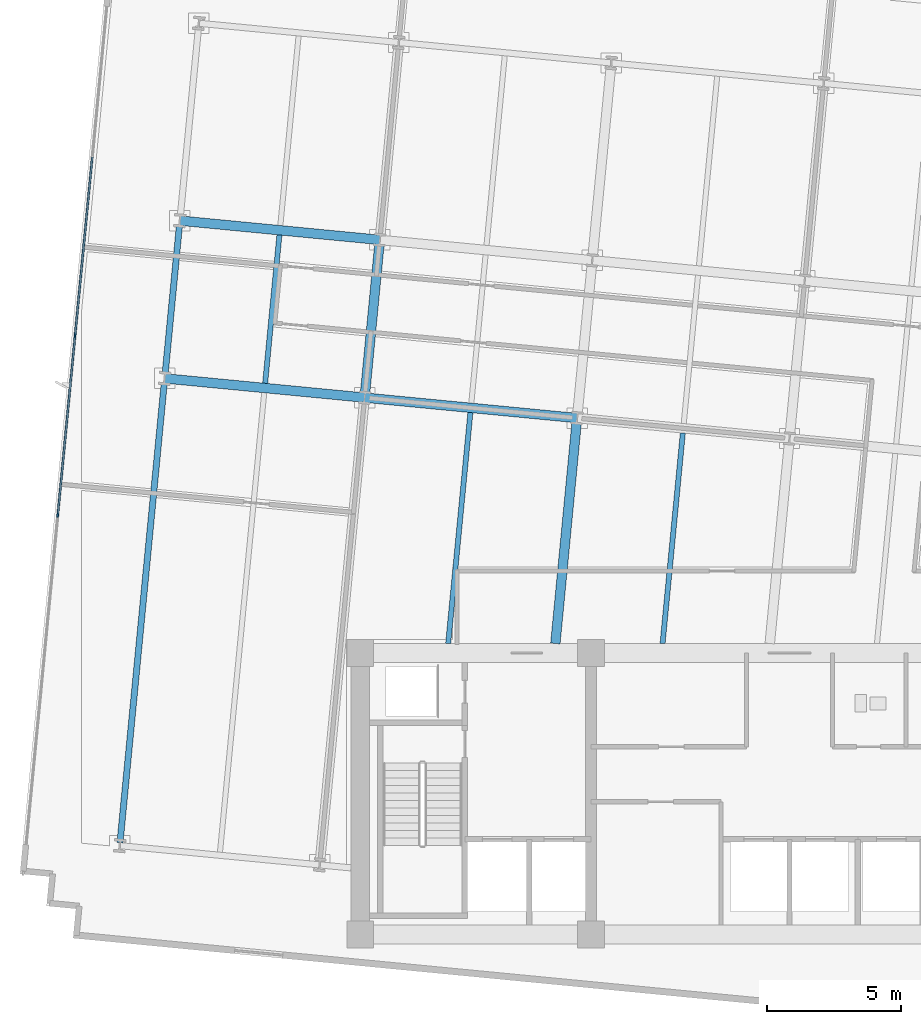
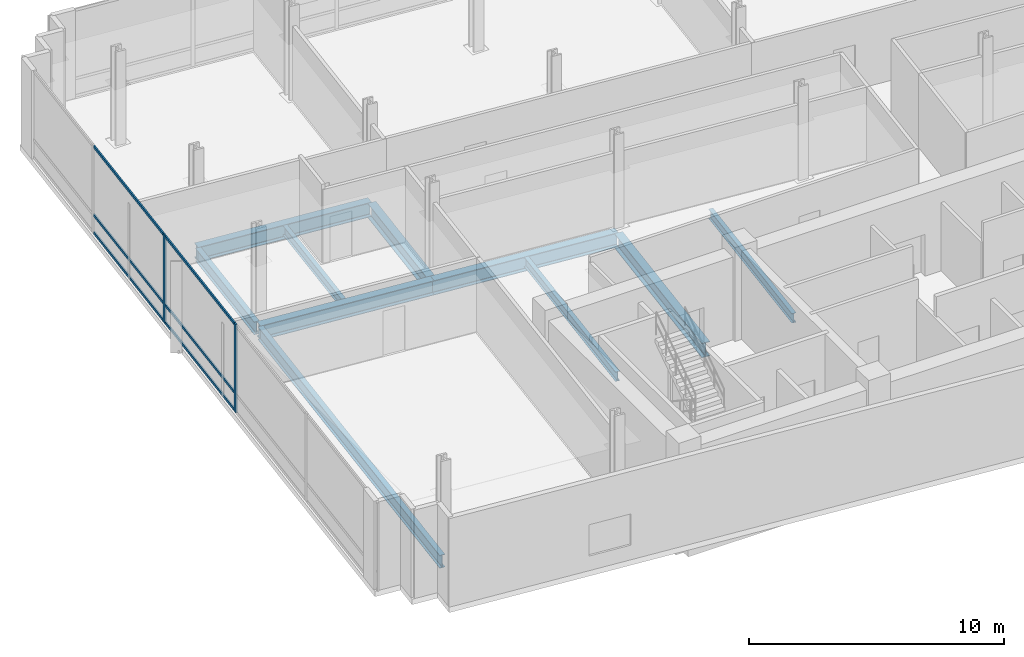
# One storey, part 4 of 17: 10 beams, 8 members, 1 element without a shape of its own.
"""IFC4 building model written with IfcOpenShell, lengths in metres."""

from ifc_helpers import new_model, si_unit, direction, frame, origin, origin_2d, place, context, subcontext, project, spatial, rectangle, i_section, extrude, material, material_profile, profile_set, type_object, element, aggregate, save


model = new_model("IFC4")

# Units and contexts
model_context = context("Model", 3, precision=1e-05, world=origin(), true_north=direction((0.0, 1.0)))
body_context = subcontext(model_context, "Body", "Model", "MODEL_VIEW")
ifc_project = project(units=[si_unit("LENGTHUNIT", "METRE"), si_unit("AREAUNIT", "SQUARE_METRE"), si_unit("VOLUMEUNIT", "CUBIC_METRE"), si_unit("PLANEANGLEUNIT", "RADIAN"), si_unit("MASSUNIT", "GRAM", prefix="KILO")], contexts=[model_context])

# Site, building, storey
site_placement = place(None, origin())
site = spatial("IfcSite", under=ifc_project, at=site_placement, CompositionType="ELEMENT")
building_placement = place(site_placement, origin())
building = spatial("IfcBuilding", under=site, at=building_placement, Name="Solmavex Isthmus Hotel", CompositionType="ELEMENT")
storey_placement = place(building_placement, frame((0.0, 0.0, 177.300048828125)))
storey = spatial("IfcBuildingStorey", under=building, at=storey_placement, Name="L48", CompositionType="ELEMENT", Elevation=177.300048828125)

# Beams
ifc_material_1 = material(Name="Steel ASTM A992 Grade 50", Category="steel")
ifc_material_profile_1 = material_profile(ifc_material_1, i_section(OverallWidth=0.354736328125, OverallDepth=0.695556640625, WebThickness=0.015380859375, FlangeThickness=0.02490234375, FilletRadius=0.017822265625, at=origin_2d()), Name="W27X146")
ifc_profile_set_1 = profile_set([ifc_material_profile_1], Name="Steel ASTM A992 Grade 50")
beam_type_1 = type_object("IfcBeamType", Name="BM-BG-W27X146", PredefinedType="BEAM", material=ifc_profile_set_1)
beam_1_placement = place(storey_placement, frame((-23.291015625, 7.733154296875, -0.60791015625), z_axis=(0.995395279593, -0.095855293875, 0.0), x_axis=(0.095855293875, 0.995395279593, 0.0)))
element("IfcBeam", 1, at=beam_1_placement, inside=storey, type_object=beam_type_1, Name="Floor Girder L48-UG03", PredefinedType="BEAM", context=body_context, shape_type="SweptSolid", body=[
    extrude(i_section(OverallWidth=0.354736328125, OverallDepth=0.695556640625, WebThickness=0.015380859375, FlangeThickness=0.02490234375, FilletRadius=0.017822265625, at=origin_2d()), origin(), (0.0, 0.0, 1.0), 7.488037109375),
])
beam_2_placement = place(storey_placement, frame((-15.83740234375, 7.015380859375, -0.60791015625), z_axis=(0.995397158178, -0.095835783981, 0.0), x_axis=(0.095835783981, 0.995397158178, 0.0)))
element("IfcBeam", 2, at=beam_2_placement, inside=storey, type_object=beam_type_1, Name="Floor Girder L48-UG04", PredefinedType="BEAM", context=body_context, shape_type="SweptSolid", body=[
    extrude(i_section(OverallWidth=0.354736328125, OverallDepth=0.695556640625, WebThickness=0.015380859375, FlangeThickness=0.02490234375, FilletRadius=0.017822265625, at=origin_2d()), origin(), (0.0, 0.0, 1.0), 7.955810546875),
])
beam_3_placement = place(storey_placement, frame((-22.724853515625, 13.614013671875, -0.60791015625), z_axis=(0.995395279593, -0.095855293875, 0.0), x_axis=(0.095855293875, 0.995395279593, 0.0)))
element("IfcBeam", 3, at=beam_3_placement, inside=storey, type_object=beam_type_1, Name="Floor Girder L48-UG09", PredefinedType="BEAM", context=body_context, shape_type="SweptSolid", body=[
    extrude(i_section(OverallWidth=0.354736328125, OverallDepth=0.695556640625, WebThickness=0.015380859375, FlangeThickness=0.02490234375, FilletRadius=0.017822265625, at=origin_2d()), origin(), (0.0, 0.0, 1.0), 7.488037109375),
])
beam_4_placement = place(storey_placement, frame((-15.820556640625, 7.19189453125, -0.60791015625), z_axis=(0.095838058801, 0.995396939158, 0.0), x_axis=(-0.995396939158, 0.095838058801, 0.0)))
element("IfcBeam", 4, at=beam_4_placement, inside=storey, type_object=beam_type_1, Name="Floor Beam L48-VG25", PredefinedType="BEAM", context=body_context, shape_type="SweptSolid", body=[
    extrude(i_section(OverallWidth=0.354736328125, OverallDepth=0.695556640625, WebThickness=0.015380859375, FlangeThickness=0.02490234375, FilletRadius=0.017822265625, at=origin_2d()), origin(), (0.0, 0.0, 1.0), 5.553466796875),
])
beam_5_placement = place(storey_placement, frame((-8.727294921875, -2.14990234375, -0.60791015625), z_axis=(0.095861573524, 0.995394674851, 0.0), x_axis=(-0.995394674851, 0.095861573524, 0.0)))
element("IfcBeam", 5, at=beam_5_placement, inside=storey, type_object=beam_type_1, Name="Floor Beam L48-VG27", PredefinedType="BEAM", context=body_context, shape_type="SweptSolid", body=[
    extrude(i_section(OverallWidth=0.354736328125, OverallDepth=0.695556640625, WebThickness=0.015380859375, FlangeThickness=0.02490234375, FilletRadius=0.017822265625, at=origin_2d()), origin(), (0.0, 0.0, 1.0), 8.264404296875),
])
ifc_material_profile_2 = material_profile(ifc_material_1, i_section(OverallWidth=0.1904296875, OverallDepth=0.456787109375, WebThickness=0.009033203125, FlangeThickness=0.014404296875, FilletRadius=0.0126953125, at=origin_2d()), Name="W18X50")
ifc_profile_set_2 = profile_set([ifc_material_profile_2], Name="Steel ASTM A992 Grade 50")
beam_type_2 = type_object("IfcBeamType", Name="BM-BJ-W18X50", PredefinedType="JOIST", material=ifc_profile_set_2)
beam_6_placement = place(storey_placement, frame((-19.547119140625, 7.55078125, -0.488525390625), z_axis=(0.095842252862, 0.99539653534, 0.0), x_axis=(-0.99539653534, 0.095842252862, 0.0)))
element("IfcBeam", 6, at=beam_6_placement, inside=storey, type_object=beam_type_2, Name="Secondary Floor Joist L48-J02", PredefinedType="JOIST", context=body_context, shape_type="SweptSolid", body=[
    extrude(i_section(OverallWidth=0.1904296875, OverallDepth=0.456787109375, WebThickness=0.009033203125, FlangeThickness=0.014404296875, FilletRadius=0.0126953125, at=origin_2d()), origin(), (0.0, 0.0, 1.0), 5.55322265625),
])
beam_7_placement = place(storey_placement, frame((-12.7236328125, -2.14990234375, -0.488525390625), z_axis=(0.095852279322, 0.995395569886, 0.0), x_axis=(-0.995395569886, 0.095852279322, 0.0)))
element("IfcBeam", 7, at=beam_7_placement, inside=storey, type_object=beam_type_2, Name="Secondary Floor Joist L48-J04", PredefinedType="JOIST", context=body_context, shape_type="SweptSolid", body=[
    extrude(i_section(OverallWidth=0.1904296875, OverallDepth=0.456787109375, WebThickness=0.009033203125, FlangeThickness=0.014404296875, FilletRadius=0.0126953125, at=origin_2d()), origin(), (0.0, 0.0, 1.0), 8.647216796875),
])
beam_8_placement = place(storey_placement, frame((-4.730712890625, -2.14990234375, -0.488525390625), z_axis=(0.09584403416, 0.995396363825, 0.0), x_axis=(-0.995396363825, 0.09584403416, 0.0)))
element("IfcBeam", 8, at=beam_8_placement, inside=storey, type_object=beam_type_2, Name="Secondary Floor Joist L48-J07", PredefinedType="JOIST", context=body_context, shape_type="SweptSolid", body=[
    extrude(i_section(OverallWidth=0.1904296875, OverallDepth=0.456787109375, WebThickness=0.009033203125, FlangeThickness=0.014404296875, FilletRadius=0.0126953125, at=origin_2d()), origin(), (0.0, 0.0, 1.0), 7.88134765625),
])
ifc_material_profile_3 = material_profile(ifc_material_1, i_section(OverallWidth=0.230224609375, OverallDepth=0.617431640625, WebThickness=0.01318359375, FlangeThickness=0.022216796875, FilletRadius=0.01513671875, at=origin_2d()), Name="W24X94")
ifc_profile_set_3 = profile_set([ifc_material_profile_3], Name="Steel ASTM A992 Grade 50")
beam_type_3 = type_object("IfcBeamType", Name="BM-SP-W24X94", PredefinedType="SPANDREL", material=ifc_profile_set_3)
beam_9_placement = place(storey_placement, frame((-24.957275390625, -9.571533203125, -0.56884765625), z_axis=(0.095840821687, 0.99539667314, 0.0), x_axis=(-0.99539667314, 0.095840821687, 0.0)))
element("IfcBeam", 9, at=beam_9_placement, inside=storey, type_object=beam_type_3, Name="Floor Beam L48-VG21", PredefinedType="SPANDREL", context=body_context, shape_type="SweptSolid", body=[
    extrude(i_section(OverallWidth=0.230224609375, OverallDepth=0.617431640625, WebThickness=0.01318359375, FlangeThickness=0.022216796875, FilletRadius=0.01513671875, at=origin_2d()), origin(), (0.0, 0.0, 1.0), 17.207275390625),
])
beam_10_placement = place(storey_placement, frame((-23.27392578125, 7.90966796875, -0.56884765625), z_axis=(0.095842252862, 0.99539653534, 0.0), x_axis=(-0.99539653534, 0.095842252862, 0.0)))
element("IfcBeam", 10, at=beam_10_placement, inside=storey, type_object=beam_type_3, Name="Floor Beam L48-VG22", PredefinedType="SPANDREL", context=body_context, shape_type="SweptSolid", body=[
    extrude(i_section(OverallWidth=0.230224609375, OverallDepth=0.617431640625, WebThickness=0.01318359375, FlangeThickness=0.022216796875, FilletRadius=0.01513671875, at=origin_2d()), origin(), (0.0, 0.0, 1.0), 5.55322265625),
])

# Curtain wall, members
ifc_material_2 = material(Name="Aluminium alloy 6063-T6", Category="aluminium")
curtain_wall_type = type_object("IfcCurtainWallType", Name="CW-SYS-05", PredefinedType="NOTDEFINED", material=ifc_material_2)
curtain_wall_placement = place(storey_placement, origin())
curtain_wall = element("IfcCurtainWall", 11, at=curtain_wall_placement, inside=storey, type_object=curtain_wall_type, Name="Stick Curtain Wall CWL-L48-W1", PredefinedType="NOTDEFINED")
ifc_material_profile_4 = material_profile(ifc_material_2, rectangle(XDim=0.06494140625, YDim=0.159912109375, at=origin_2d()), Name="CWM-65X160")
ifc_profile_set_4 = profile_set([ifc_material_profile_4], Name="Aluminium alloy 6063-T6")
member_type_1 = type_object("IfcMemberType", Name="CW-SYS-05-MUL", PredefinedType="MULLION", material=ifc_profile_set_4)
member_1_placement = place(storey_placement, frame((-27.2783203125, 2.6318359375, 0.0), z_axis=(0.0, 0.0, 1.0), x_axis=(-0.995396190038, 0.09584583902, 0.0)))
member_1 = element("IfcMember", 12, at=member_1_placement, type_object=member_type_1, Name="CW-05 mullion 3", PredefinedType="MULLION", context=body_context, shape_type="SweptSolid", body=[
    extrude(rectangle(XDim=0.06494140625, YDim=0.159912109375, at=origin_2d()), origin(), (0.0, 0.0, 1.0), 4.239990234375),
])
member_2_placement = place(storey_placement, frame((-26.63427734375, 9.32080078125, 0.0), z_axis=(0.0, 0.0, 1.0), x_axis=(-0.995396190038, 0.09584583902, 0.0)))
member_2 = element("IfcMember", 13, at=member_2_placement, type_object=member_type_1, Name="CW-05 mullion 4", PredefinedType="MULLION", context=body_context, shape_type="SweptSolid", body=[
    extrude(rectangle(XDim=0.06494140625, YDim=0.159912109375, at=origin_2d()), origin(), (0.0, 0.0, 1.0), 4.239990234375),
])
ifc_material_profile_5 = material_profile(ifc_material_2, rectangle(XDim=0.06494140625, YDim=0.125, at=origin_2d()), Name="CWT-65X125")
ifc_profile_set_5 = profile_set([ifc_material_profile_5], Name="Aluminium alloy 6063-T6")
member_type_2 = type_object("IfcMemberType", Name="CW-SYS-05-TRN", PredefinedType="USERDEFINED", material=ifc_profile_set_5)
member_3_placement = place(storey_placement, frame((-27.275146484375, 2.6640625, 0.0625), z_axis=(0.095856401082, 0.99539517297, 0.0), x_axis=(-0.99539517297, 0.095856401082, 0.0)))
member_3 = element("IfcMember", 14, at=member_3_placement, type_object=member_type_2, Name="CW-05 transom 3.1", ObjectType="TRANSOM", PredefinedType="USERDEFINED", context=body_context, shape_type="SweptSolid", body=[
    extrude(rectangle(XDim=0.06494140625, YDim=0.125, at=origin_2d()), origin(), (0.0, 0.0, 1.0), 6.6552734375),
])
member_4_placement = place(storey_placement, frame((-27.275146484375, 2.6640625, 0.89990234375), z_axis=(0.095856401082, 0.99539517297, 0.0), x_axis=(-0.99539517297, 0.095856401082, 0.0)))
member_4 = element("IfcMember", 15, at=member_4_placement, type_object=member_type_2, Name="CW-05 transom 3.2", ObjectType="TRANSOM", PredefinedType="USERDEFINED", context=body_context, shape_type="SweptSolid", body=[
    extrude(rectangle(XDim=0.06494140625, YDim=0.125, at=origin_2d()), origin(), (0.0, 0.0, 1.0), 6.6552734375),
])
member_5_placement = place(storey_placement, frame((-27.275146484375, 2.6640625, 4.177490234375), z_axis=(0.095856401082, 0.99539517297, 0.0), x_axis=(-0.99539517297, 0.095856401082, 0.0)))
member_5 = element("IfcMember", 16, at=member_5_placement, type_object=member_type_2, Name="CW-05 transom 3.3", ObjectType="TRANSOM", PredefinedType="USERDEFINED", context=body_context, shape_type="SweptSolid", body=[
    extrude(rectangle(XDim=0.06494140625, YDim=0.125, at=origin_2d()), origin(), (0.0, 0.0, 1.0), 6.6552734375),
])
member_6_placement = place(storey_placement, frame((-26.631103515625, 9.353271484375, 0.0625), z_axis=(0.095859901454, 0.995394835878, 0.0), x_axis=(-0.995394835878, 0.095859901454, 0.0)))
member_6 = element("IfcMember", 17, at=member_6_placement, type_object=member_type_2, Name="CW-05 transom 4.1", ObjectType="TRANSOM", PredefinedType="USERDEFINED", context=body_context, shape_type="SweptSolid", body=[
    extrude(rectangle(XDim=0.06494140625, YDim=0.125, at=origin_2d()), origin(), (0.0, 0.0, 1.0), 6.655029296875),
])
member_7_placement = place(storey_placement, frame((-26.631103515625, 9.353271484375, 0.89990234375), z_axis=(0.095859901454, 0.995394835878, 0.0), x_axis=(-0.995394835878, 0.095859901454, 0.0)))
member_7 = element("IfcMember", 18, at=member_7_placement, type_object=member_type_2, Name="CW-05 transom 4.2", ObjectType="TRANSOM", PredefinedType="USERDEFINED", context=body_context, shape_type="SweptSolid", body=[
    extrude(rectangle(XDim=0.06494140625, YDim=0.125, at=origin_2d()), origin(), (0.0, 0.0, 1.0), 6.655029296875),
])
member_8_placement = place(storey_placement, frame((-26.631103515625, 9.353271484375, 4.177490234375), z_axis=(0.095859901454, 0.995394835878, 0.0), x_axis=(-0.995394835878, 0.095859901454, 0.0)))
member_8 = element("IfcMember", 19, at=member_8_placement, type_object=member_type_2, Name="CW-05 transom 4.3", ObjectType="TRANSOM", PredefinedType="USERDEFINED", context=body_context, shape_type="SweptSolid", body=[
    extrude(rectangle(XDim=0.06494140625, YDim=0.125, at=origin_2d()), origin(), (0.0, 0.0, 1.0), 6.655029296875),
])
aggregate(curtain_wall, [member_1, member_2, member_3, member_4, member_5, member_6, member_7, member_8])

save(model, "model.ifc")
